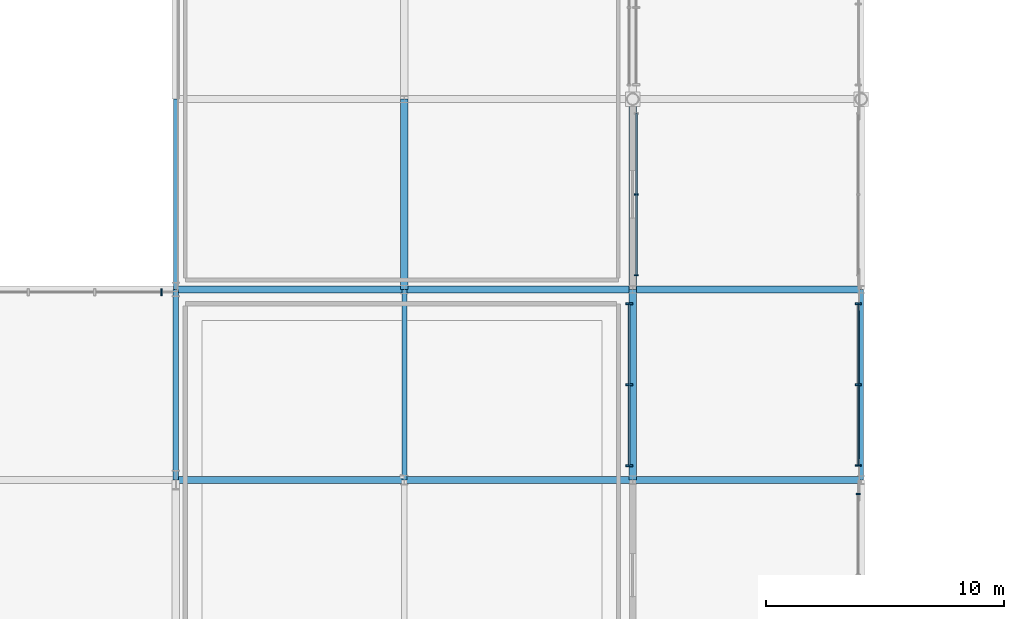
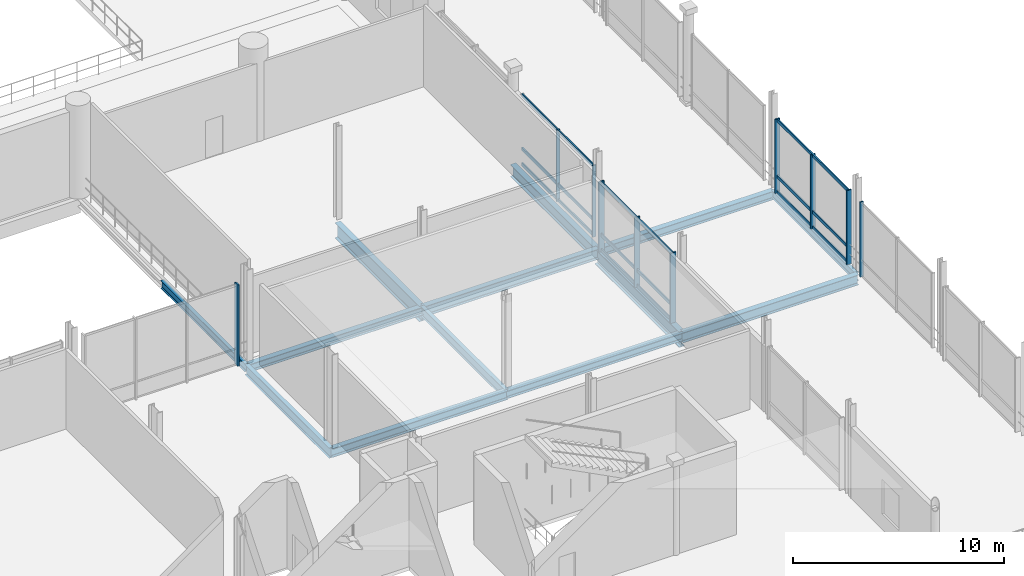
# One storey, part 44 of 129: 19 members, 13 beams, 5 elements without a shape of their own.
"""IFC4 building model written with IfcOpenShell, lengths in metres."""

from ifc_helpers import new_model, si_unit, direction, frame, origin, origin_2d, place, context, subcontext, project, spatial, rectangle, i_section, extrude, material, material_profile, profile_set, type_object, element, aggregate, save


model = new_model("IFC4")

# Units and contexts
model_context = context("Model", 3, precision=1e-05, world=origin(), true_north=direction((0.0, 1.0)))
body_context = subcontext(model_context, "Body", "Model", "MODEL_VIEW")
ifc_project = project(units=[si_unit("LENGTHUNIT", "METRE"), si_unit("AREAUNIT", "SQUARE_METRE"), si_unit("VOLUMEUNIT", "CUBIC_METRE"), si_unit("PLANEANGLEUNIT", "RADIAN"), si_unit("MASSUNIT", "GRAM", prefix="KILO")], contexts=[model_context])

# Site, building, storey
site_placement = place(None, origin())
site = spatial("IfcSite", under=ifc_project, at=site_placement, CompositionType="ELEMENT")
building_placement = place(site_placement, origin())
building = spatial("IfcBuilding", under=site, at=building_placement, Name="Danafjord Basin Convention Centre", CompositionType="ELEMENT")
storey_placement = place(building_placement, frame((0.0, 0.0, 6.0)))
storey = spatial("IfcBuildingStorey", under=building, at=storey_placement, Name="L01", CompositionType="ELEMENT", Elevation=6.0)

# Beams
ifc_material_1 = material(Name="Steel S355", Category="steel")
ifc_material_profile_1 = material_profile(ifc_material_1, i_section(OverallWidth=0.300048828125, OverallDepth=0.489990234375, WebThickness=0.011962890625, FlangeThickness=0.02294921875, FilletRadius=0.027099609375, at=origin_2d()), Name="HEA 500")
ifc_profile_set_1 = profile_set([ifc_material_profile_1], Name="Steel S355")
beam_type_1 = type_object("IfcBeamType", Name="BEAM-BM-HEA500", PredefinedType="BEAM", material=ifc_profile_set_1)
beam_1_placement = place(storey_placement, frame((115.199951171875, 40.0, -0.47509765625), z_axis=(1.0, 0.0, 0.0), x_axis=(0.0, 1.0, 0.0)))
element("IfcBeam", 1, at=beam_1_placement, inside=storey, type_object=beam_type_1, Name="L01 girder BM-HEA500", PredefinedType="BEAM", context=body_context, shape_type="SweptSolid", body=[
    extrude(i_section(OverallWidth=0.300048828125, OverallDepth=0.489990234375, WebThickness=0.011962890625, FlangeThickness=0.02294921875, FilletRadius=0.027099609375, at=origin_2d()), origin(), (0.0, 0.0, 1.0), 9.60009765625),
])
ifc_material_profile_2 = material_profile(ifc_material_1, i_section(OverallWidth=0.300048828125, OverallDepth=0.590087890625, WebThickness=0.012939453125, FlangeThickness=0.02490234375, FilletRadius=0.027099609375, at=origin_2d()), Name="HEA 600")
ifc_profile_set_2 = profile_set([ifc_material_profile_2], Name="Steel S355")
beam_type_2 = type_object("IfcBeamType", Name="BEAM-BM-HEA600", PredefinedType="BEAM", material=ifc_profile_set_2)
beam_2_placement = place(storey_placement, frame((105.60009765625, 40.0, -0.52490234375), z_axis=(1.0, 0.0, 0.0), x_axis=(0.0, 1.0, 0.0)))
element("IfcBeam", 2, at=beam_2_placement, inside=storey, type_object=beam_type_2, Name="L01 girder BM-HEA600", PredefinedType="BEAM", context=body_context, shape_type="SweptSolid", body=[
    extrude(i_section(OverallWidth=0.300048828125, OverallDepth=0.590087890625, WebThickness=0.012939453125, FlangeThickness=0.02490234375, FilletRadius=0.027099609375, at=origin_2d()), origin(), (0.0, 0.0, 1.0), 9.599853515625),
])
beam_3_placement = place(storey_placement, frame((115.199951171875, 32.0, -0.52490234375), z_axis=(1.0, 0.0, 0.0), x_axis=(0.0, 1.0, 0.0)))
element("IfcBeam", 3, at=beam_3_placement, inside=storey, type_object=beam_type_2, Name="L01 girder BM-HEA600", PredefinedType="BEAM", context=body_context, shape_type="SweptSolid", body=[
    extrude(i_section(OverallWidth=0.300048828125, OverallDepth=0.590087890625, WebThickness=0.012939453125, FlangeThickness=0.02490234375, FilletRadius=0.027099609375, at=origin_2d()), origin(), (0.0, 0.0, 1.0), 9.60009765625),
])
ifc_material_profile_3 = material_profile(ifc_material_1, i_section(OverallWidth=0.300048828125, OverallDepth=0.449951171875, WebThickness=0.013916015625, FlangeThickness=0.02587890625, FilletRadius=0.027099609375, at=origin_2d()), Name="HEB 450")
ifc_profile_set_3 = profile_set([ifc_material_profile_3], Name="Steel S355")
beam_type_3 = type_object("IfcBeamType", Name="BEAM-BM-HEB450", PredefinedType="BEAM", material=ifc_profile_set_3)
beam_4_placement = place(storey_placement, frame((96.0, 40.0, -0.455078125), z_axis=(1.0, 0.0, 0.0), x_axis=(0.0, 1.0, 0.0)))
element("IfcBeam", 4, at=beam_4_placement, inside=storey, type_object=beam_type_3, Name="L01 girder BM-HEB450", PredefinedType="BEAM", context=body_context, shape_type="SweptSolid", body=[
    extrude(i_section(OverallWidth=0.300048828125, OverallDepth=0.449951171875, WebThickness=0.013916015625, FlangeThickness=0.02587890625, FilletRadius=0.027099609375, at=origin_2d()), origin(), (0.0, 0.0, 1.0), 9.60009765625),
])
beam_5_placement = place(storey_placement, frame((105.60009765625, 32.0, -0.455078125), z_axis=(1.0, 0.0, 0.0), x_axis=(0.0, 1.0, 0.0)))
element("IfcBeam", 5, at=beam_5_placement, inside=storey, type_object=beam_type_3, Name="L01 girder BM-HEB450", PredefinedType="BEAM", context=body_context, shape_type="SweptSolid", body=[
    extrude(i_section(OverallWidth=0.300048828125, OverallDepth=0.449951171875, WebThickness=0.013916015625, FlangeThickness=0.02587890625, FilletRadius=0.027099609375, at=origin_2d()), origin(), (0.0, 0.0, 1.0), 9.599853515625),
])
ifc_material_profile_4 = material_profile(ifc_material_1, i_section(OverallWidth=0.300048828125, OverallDepth=0.5, WebThickness=0.014404296875, FlangeThickness=0.028076171875, FilletRadius=0.027099609375, at=origin_2d()), Name="HEB 500")
ifc_profile_set_4 = profile_set([ifc_material_profile_4], Name="Steel S355")
beam_type_4 = type_object("IfcBeamType", Name="BEAM-BM-HEB500", PredefinedType="BEAM", material=ifc_profile_set_4)
beam_6_placement = place(storey_placement, frame((96.0, 32.0, -0.47998046875), z_axis=(1.0, 0.0, 0.0), x_axis=(0.0, 1.0, 0.0)))
element("IfcBeam", 6, at=beam_6_placement, inside=storey, type_object=beam_type_4, Name="L01 girder BM-HEB500", PredefinedType="BEAM", context=body_context, shape_type="SweptSolid", body=[
    extrude(i_section(OverallWidth=0.300048828125, OverallDepth=0.5, WebThickness=0.014404296875, FlangeThickness=0.028076171875, FilletRadius=0.027099609375, at=origin_2d()), origin(), (0.0, 0.0, 1.0), 9.60009765625),
])
ifc_material_profile_5 = material_profile(ifc_material_1, i_section(OverallWidth=0.300048828125, OverallDepth=0.699951171875, WebThickness=0.01708984375, FlangeThickness=0.031982421875, FilletRadius=0.027099609375, at=origin_2d()), Name="HEB 700")
ifc_profile_set_5 = profile_set([ifc_material_profile_5], Name="Steel S355")
beam_type_5 = type_object("IfcBeamType", Name="BEAM-BM-HEB700", PredefinedType="BEAM", material=ifc_profile_set_5)
beam_7_placement = place(storey_placement, frame((115.199951171875, 40.0, -0.580078125), z_axis=(0.0, 1.0, 0.0), x_axis=(-1.0, 0.0, 0.0)))
element("IfcBeam", 7, at=beam_7_placement, inside=storey, type_object=beam_type_5, Name="L01 transverse girder BM-HEB700", PredefinedType="BEAM", context=body_context, shape_type="SweptSolid", body=[
    extrude(i_section(OverallWidth=0.300048828125, OverallDepth=0.699951171875, WebThickness=0.01708984375, FlangeThickness=0.031982421875, FilletRadius=0.027099609375, at=origin_2d()), origin(), (0.0, 0.0, 1.0), 8.0),
])
ifc_material_profile_6 = material_profile(ifc_material_1, i_section(OverallWidth=0.300048828125, OverallDepth=0.89990234375, WebThickness=0.0185546875, FlangeThickness=0.034912109375, FilletRadius=0.030029296875, at=origin_2d()), Name="HEB 900")
ifc_profile_set_6 = profile_set([ifc_material_profile_6], Name="Steel S355")
beam_type_6 = type_object("IfcBeamType", Name="BEAM-BM-HEB900", PredefinedType="BEAM", material=ifc_profile_set_6)
for number, where, z_axis, x_axis, name in (
    (8, (105.60009765625, 40.0, -0.679931640625), (0.0, 1.0, 0.0), (-1.0, 0.0, 0.0), "L01 transverse girder BM-HEB900"),
    (9, (115.199951171875, 32.0, -0.679931640625), (0.0, 1.0, 0.0), (-1.0, 0.0, 0.0), "L01 transverse girder BM-HEB900"),
):
    element("IfcBeam", number, at=place(storey_placement, frame(where, z_axis=z_axis, x_axis=x_axis)), inside=storey, type_object=beam_type_6, Name=name, PredefinedType="BEAM", context=body_context, shape_type="SweptSolid", body=[
        extrude(i_section(OverallWidth=0.300048828125, OverallDepth=0.89990234375, WebThickness=0.0185546875, FlangeThickness=0.034912109375, FilletRadius=0.030029296875, at=origin_2d()), origin(), (0.0, 0.0, 1.0), 8.0),
    ])
ifc_material_profile_7 = material_profile(ifc_material_1, i_section(OverallWidth=0.2099609375, OverallDepth=0.550048828125, WebThickness=0.010986328125, FlangeThickness=0.01708984375, FilletRadius=0.02392578125, at=origin_2d()), Name="IPE 550")
ifc_profile_set_7 = profile_set([ifc_material_profile_7], Name="Steel S355")
beam_type_7 = type_object("IfcBeamType", Name="BEAM-BM-IPE550", PredefinedType="BEAM", material=ifc_profile_set_7)
beam_8_placement = place(storey_placement, frame((105.60009765625, 32.0, -0.5048828125), z_axis=(0.0, 1.0, 0.0), x_axis=(-1.0, 0.0, 0.0)))
element("IfcBeam", 10, at=beam_8_placement, inside=storey, type_object=beam_type_7, Name="L01 transverse girder BM-IPE550", PredefinedType="BEAM", context=body_context, shape_type="SweptSolid", body=[
    extrude(i_section(OverallWidth=0.2099609375, OverallDepth=0.550048828125, WebThickness=0.010986328125, FlangeThickness=0.01708984375, FilletRadius=0.02392578125, at=origin_2d()), origin(), (0.0, 0.0, 1.0), 8.0),
])
ifc_material_profile_8 = material_profile(ifc_material_1, i_section(OverallWidth=0.219970703125, OverallDepth=0.60009765625, WebThickness=0.011962890625, FlangeThickness=0.01904296875, FilletRadius=0.02392578125, at=origin_2d()), Name="IPE 600")
ifc_profile_set_8 = profile_set([ifc_material_profile_8], Name="Steel S355")
beam_type_8 = type_object("IfcBeamType", Name="BEAM-BM-IPE600", PredefinedType="BEAM", material=ifc_profile_set_8)
beam_9_placement = place(storey_placement, frame((96.0, 32.0, -0.530029296875), z_axis=(0.0, 1.0, 0.0), x_axis=(-1.0, 0.0, 0.0)))
element("IfcBeam", 11, at=beam_9_placement, inside=storey, type_object=beam_type_8, Name="L01 transverse girder BM-IPE600", PredefinedType="BEAM", context=body_context, shape_type="SweptSolid", body=[
    extrude(i_section(OverallWidth=0.219970703125, OverallDepth=0.60009765625, WebThickness=0.011962890625, FlangeThickness=0.01904296875, FilletRadius=0.02392578125, at=origin_2d()), origin(), (0.0, 0.0, 1.0), 8.0),
])
ifc_material_profile_9 = material_profile(ifc_material_1, i_section(OverallWidth=0.18994140625, OverallDepth=0.449951171875, WebThickness=0.009521484375, FlangeThickness=0.0146484375, FilletRadius=0.02099609375, at=origin_2d()), Name="IPE 450")
ifc_profile_set_9 = profile_set([ifc_material_profile_9], Name="Steel S355")
beam_type_9 = type_object("IfcBeamType", Name="BEAM-SP-IPE450", PredefinedType="SPANDREL", material=ifc_profile_set_9)
for number, where, z_axis, x_axis, name in (
    (12, (96.0, 40.0, -0.455078125), (0.0, 1.0, 0.0), (-1.0, 0.0, 0.0), "L01 transverse girder SP-IPE450"),
    (13, (124.800048828125, 32.0, -0.455078125), (0.0, 1.0, 0.0), (-1.0, 0.0, 0.0), "L01 transverse girder SP-IPE450"),
):
    element("IfcBeam", number, at=place(storey_placement, frame(where, z_axis=z_axis, x_axis=x_axis)), inside=storey, type_object=beam_type_9, Name=name, PredefinedType="SPANDREL", context=body_context, shape_type="SweptSolid", body=[
        extrude(i_section(OverallWidth=0.18994140625, OverallDepth=0.449951171875, WebThickness=0.009521484375, FlangeThickness=0.0146484375, FilletRadius=0.02099609375, at=origin_2d()), origin(), (0.0, 0.0, 1.0), 8.0),
    ])

# Curtain wall, member
ifc_material_2 = material(Name="Anodised aluminium and triple glazing", Category="aluminium")
curtain_wall_type_1 = type_object("IfcCurtainWallType", Name="CW-CW-BRIDGE", PredefinedType="NOTDEFINED", material=ifc_material_2)
curtain_wall_1_placement = place(storey_placement, origin())
curtain_wall_1 = element("IfcCurtainWall", 14, at=curtain_wall_1_placement, inside=storey, type_object=curtain_wall_type_1, Name="L01 CW-BRIDGE unitised curtain wall bay 156", PredefinedType="NOTDEFINED")
ifc_material_3 = material(Name="Anodised aluminium EN AW-6060", Category="aluminium")
ifc_material_profile_10 = material_profile(ifc_material_3, rectangle(XDim=0.06005859375, YDim=0.179931640625, at=origin_2d()), Name="MULL 60x180")
ifc_profile_set_10 = profile_set([ifc_material_profile_10], Name="Anodised aluminium EN AW-6060")
member_type_1 = type_object("IfcMemberType", Name="MEM-ML-180", PredefinedType="MULLION", material=ifc_profile_set_10)
member_1_placement = place(storey_placement, frame((124.679931640625, 31.39990234375, -0.02490234375), z_axis=(0.0, 0.0, 1.0), x_axis=(0.0, 1.0, 0.0)))
member_1 = element("IfcMember", 15, at=member_1_placement, type_object=member_type_1, Name="CW-L01-156 mullion 3", PredefinedType="MULLION", context=body_context, shape_type="SweptSolid", body=[
    extrude(rectangle(XDim=0.06005859375, YDim=0.179931640625, at=origin_2d()), origin(), (0.0, 0.0, 1.0), 4.349853515625),
])
aggregate(curtain_wall_1, [member_1])

# Curtain wall, members
curtain_wall_2_placement = place(storey_placement, origin())
curtain_wall_2 = element("IfcCurtainWall", 16, at=curtain_wall_2_placement, inside=storey, type_object=curtain_wall_type_1, Name="L01 CW-BRIDGE unitised curtain wall bay 161", PredefinedType="NOTDEFINED")
member_2_placement = place(storey_placement, frame((115.35009765625, 44.0, -0.02490234375), z_axis=(0.0, 0.0, 1.0), x_axis=(0.0, -1.0, 0.0)))
member_2 = element("IfcMember", 17, at=member_2_placement, type_object=member_type_1, Name="CW-L01-161 mullion 2", PredefinedType="MULLION", context=body_context, shape_type="SweptSolid", body=[
    extrude(rectangle(XDim=0.06005859375, YDim=0.179931640625, at=origin_2d()), origin(), (0.0, 0.0, 1.0), 4.14990234375),
])
member_3_placement = place(storey_placement, frame((115.35009765625, 40.60009765625, -0.02490234375), z_axis=(0.0, 0.0, 1.0), x_axis=(0.0, -1.0, 0.0)))
member_3 = element("IfcMember", 18, at=member_3_placement, type_object=member_type_1, Name="CW-L01-161 mullion 3", PredefinedType="MULLION", context=body_context, shape_type="SweptSolid", body=[
    extrude(rectangle(XDim=0.06005859375, YDim=0.179931640625, at=origin_2d()), origin(), (0.0, 0.0, 1.0), 4.14990234375),
])

curtain_wall_3_placement = place(storey_placement, origin())
curtain_wall_3 = element("IfcCurtainWall", 19, at=curtain_wall_3_placement, inside=storey, type_object=curtain_wall_type_1, Name="L01 CW-BRIDGE unitised curtain wall bay 158", PredefinedType="NOTDEFINED")
ifc_material_profile_11 = material_profile(ifc_material_3, rectangle(XDim=0.070068359375, YDim=0.260009765625, at=origin_2d()), Name="MULL 70x260")
ifc_profile_set_11 = profile_set([ifc_material_profile_11], Name="Anodised aluminium EN AW-6060")
member_type_2 = type_object("IfcMemberType", Name="MEM-ML-260", PredefinedType="MULLION", material=ifc_profile_set_11)
member_4_placement = place(storey_placement, frame((124.679931640625, 32.60009765625, -0.02490234375), z_axis=(0.0, 0.0, 1.0), x_axis=(0.0, 1.0, 0.0)))
member_4 = element("IfcMember", 20, at=member_4_placement, type_object=member_type_2, Name="CW-L01-158 mullion 1", PredefinedType="MULLION", context=body_context, shape_type="SweptSolid", body=[
    extrude(rectangle(XDim=0.070068359375, YDim=0.260009765625, at=origin_2d()), origin(), (0.0, 0.0, 1.0), 4.2998046875),
])
member_5_placement = place(storey_placement, frame((124.679931640625, 36.0, -0.02490234375), z_axis=(0.0, 0.0, 1.0), x_axis=(0.0, 1.0, 0.0)))
member_5 = element("IfcMember", 21, at=member_5_placement, type_object=member_type_2, Name="CW-L01-158 mullion 2", PredefinedType="MULLION", context=body_context, shape_type="SweptSolid", body=[
    extrude(rectangle(XDim=0.070068359375, YDim=0.260009765625, at=origin_2d()), origin(), (0.0, 0.0, 1.0), 4.2998046875),
])
member_6_placement = place(storey_placement, frame((124.679931640625, 39.39990234375, -0.02490234375), z_axis=(0.0, 0.0, 1.0), x_axis=(0.0, 1.0, 0.0)))
member_6 = element("IfcMember", 22, at=member_6_placement, type_object=member_type_2, Name="CW-L01-158 mullion 3", PredefinedType="MULLION", context=body_context, shape_type="SweptSolid", body=[
    extrude(rectangle(XDim=0.070068359375, YDim=0.260009765625, at=origin_2d()), origin(), (0.0, 0.0, 1.0), 4.2998046875),
])

# Curtain wall, member
curtain_wall_type_2 = type_object("IfcCurtainWallType", Name="CW-CW-TERR", PredefinedType="NOTDEFINED", material=ifc_material_2)
curtain_wall_4_placement = place(storey_placement, origin())
curtain_wall_4 = element("IfcCurtainWall", 23, at=curtain_wall_4_placement, inside=storey, type_object=curtain_wall_type_2, Name="L01 CW-TERR unitised curtain wall bay 54", PredefinedType="NOTDEFINED")
ifc_material_profile_12 = material_profile(ifc_material_3, rectangle(XDim=0.080078125, YDim=0.300048828125, at=origin_2d()), Name="MULL 80x300")
ifc_profile_set_12 = profile_set([ifc_material_profile_12], Name="Anodised aluminium EN AW-6060")
member_type_3 = type_object("IfcMemberType", Name="MEM-ML-300", PredefinedType="MULLION", material=ifc_profile_set_12)
member_7_placement = place(storey_placement, frame((95.39990234375, 39.8798828125, -0.02490234375), z_axis=(0.0, 0.0, 1.0), x_axis=(-1.0, 0.0, 0.0)))
member_7 = element("IfcMember", 24, at=member_7_placement, type_object=member_type_3, Name="CW-L01-054 mullion 1", PredefinedType="MULLION", context=body_context, shape_type="SweptSolid", body=[
    extrude(rectangle(XDim=0.080078125, YDim=0.300048828125, at=origin_2d()), origin(), (0.0, 0.0, 1.0), 4.71484375),
])
aggregate(curtain_wall_4, [member_7])

# Curtain wall, members
curtain_wall_5_placement = place(storey_placement, origin())
curtain_wall_5 = element("IfcCurtainWall", 25, at=curtain_wall_5_placement, inside=storey, type_object=curtain_wall_type_2, Name="L01 CW-TERR unitised curtain wall bay 59", PredefinedType="NOTDEFINED")
member_8_placement = place(storey_placement, frame((115.050048828125, 32.60009765625, -0.02490234375), z_axis=(0.0, 0.0, 1.0), x_axis=(0.0, 1.0, 0.0)))
member_8 = element("IfcMember", 26, at=member_8_placement, type_object=member_type_3, Name="CW-L01-059 mullion 1", PredefinedType="MULLION", context=body_context, shape_type="SweptSolid", body=[
    extrude(rectangle(XDim=0.080078125, YDim=0.300048828125, at=origin_2d()), origin(), (0.0, 0.0, 1.0), 4.0498046875),
])
member_9_placement = place(storey_placement, frame((115.050048828125, 36.0, -0.02490234375), z_axis=(0.0, 0.0, 1.0), x_axis=(0.0, 1.0, 0.0)))
member_9 = element("IfcMember", 27, at=member_9_placement, type_object=member_type_3, Name="CW-L01-059 mullion 2", PredefinedType="MULLION", context=body_context, shape_type="SweptSolid", body=[
    extrude(rectangle(XDim=0.080078125, YDim=0.300048828125, at=origin_2d()), origin(), (0.0, 0.0, 1.0), 4.0498046875),
])
member_10_placement = place(storey_placement, frame((115.050048828125, 39.39990234375, -0.02490234375), z_axis=(0.0, 0.0, 1.0), x_axis=(0.0, 1.0, 0.0)))
member_10 = element("IfcMember", 28, at=member_10_placement, type_object=member_type_3, Name="CW-L01-059 mullion 3", PredefinedType="MULLION", context=body_context, shape_type="SweptSolid", body=[
    extrude(rectangle(XDim=0.080078125, YDim=0.300048828125, at=origin_2d()), origin(), (0.0, 0.0, 1.0), 4.0498046875),
])
ifc_material_profile_13 = material_profile(ifc_material_3, rectangle(XDim=0.06494140625, YDim=0.18994140625, at=origin_2d()), Name="TRAN 65x190")
ifc_profile_set_13 = profile_set([ifc_material_profile_13], Name="Anodised aluminium EN AW-6060")
member_type_4 = type_object("IfcMemberType", Name="MEM-TR-190", PredefinedType="USERDEFINED", material=ifc_profile_set_13)
member_11_placement = place(storey_placement, frame((115.050048828125, 32.60009765625, 0.06005859375), z_axis=(0.0, 1.0, 0.0), x_axis=(-1.0, 0.0, 0.0)))
member_11 = element("IfcMember", 29, at=member_11_placement, type_object=member_type_4, Name="CW-L01-059 transom 1", ObjectType="TRANSOM", PredefinedType="USERDEFINED", context=body_context, shape_type="SweptSolid", body=[
    extrude(rectangle(XDim=0.06494140625, YDim=0.18994140625, at=origin_2d()), origin(), (0.0, 0.0, 1.0), 6.7998046875),
])
member_12_placement = place(storey_placement, frame((115.050048828125, 32.60009765625, 0.949951171875), z_axis=(0.0, 1.0, 0.0), x_axis=(-1.0, 0.0, 0.0)))
member_12 = element("IfcMember", 30, at=member_12_placement, type_object=member_type_4, Name="CW-L01-059 transom 2", ObjectType="TRANSOM", PredefinedType="USERDEFINED", context=body_context, shape_type="SweptSolid", body=[
    extrude(rectangle(XDim=0.06494140625, YDim=0.18994140625, at=origin_2d()), origin(), (0.0, 0.0, 1.0), 6.7998046875),
])
member_13_placement = place(storey_placement, frame((115.050048828125, 32.60009765625, 3.955078125), z_axis=(0.0, 1.0, 0.0), x_axis=(-1.0, 0.0, 0.0)))
member_13 = element("IfcMember", 31, at=member_13_placement, type_object=member_type_4, Name="CW-L01-059 transom 3", ObjectType="TRANSOM", PredefinedType="USERDEFINED", context=body_context, shape_type="SweptSolid", body=[
    extrude(rectangle(XDim=0.06494140625, YDim=0.18994140625, at=origin_2d()), origin(), (0.0, 0.0, 1.0), 6.7998046875),
])
aggregate(curtain_wall_5, [member_8, member_9, member_10, member_11, member_12, member_13])

# Member
member_14_placement = place(storey_placement, frame((124.679931640625, 32.60009765625, 0.06005859375), z_axis=(0.0, 1.0, 0.0), x_axis=(-1.0, 0.0, 0.0)))
member_14 = element("IfcMember", 32, at=member_14_placement, type_object=member_type_4, Name="CW-L01-158 transom 1", ObjectType="TRANSOM", PredefinedType="USERDEFINED", context=body_context, shape_type="SweptSolid", body=[
    extrude(rectangle(XDim=0.06494140625, YDim=0.18994140625, at=origin_2d()), origin(), (0.0, 0.0, 1.0), 6.7998046875),
])

member_15_placement = place(storey_placement, frame((124.679931640625, 32.60009765625, 0.949951171875), z_axis=(0.0, 1.0, 0.0), x_axis=(-1.0, 0.0, 0.0)))
member_15 = element("IfcMember", 33, at=member_15_placement, type_object=member_type_4, Name="CW-L01-158 transom 2", ObjectType="TRANSOM", PredefinedType="USERDEFINED", context=body_context, shape_type="SweptSolid", body=[
    extrude(rectangle(XDim=0.06494140625, YDim=0.18994140625, at=origin_2d()), origin(), (0.0, 0.0, 1.0), 6.7998046875),
])

member_16_placement = place(storey_placement, frame((124.679931640625, 32.60009765625, 4.205078125), z_axis=(0.0, 1.0, 0.0), x_axis=(-1.0, 0.0, 0.0)))
member_16 = element("IfcMember", 34, at=member_16_placement, type_object=member_type_4, Name="CW-L01-158 transom 3", ObjectType="TRANSOM", PredefinedType="USERDEFINED", context=body_context, shape_type="SweptSolid", body=[
    extrude(rectangle(XDim=0.06494140625, YDim=0.18994140625, at=origin_2d()), origin(), (0.0, 0.0, 1.0), 6.7998046875),
])

aggregate(curtain_wall_3, [member_4, member_5, member_6, member_14, member_15, member_16])

member_17_placement = place(storey_placement, frame((115.35009765625, 47.39990234375, 0.06005859375), z_axis=(0.0, -1.0, 0.0), x_axis=(1.0, 0.0, 0.0)))
member_17 = element("IfcMember", 35, at=member_17_placement, type_object=member_type_4, Name="CW-L01-161 transom 1", ObjectType="TRANSOM", PredefinedType="USERDEFINED", context=body_context, shape_type="SweptSolid", body=[
    extrude(rectangle(XDim=0.06494140625, YDim=0.18994140625, at=origin_2d()), origin(), (0.0, 0.0, 1.0), 6.7998046875),
])

member_18_placement = place(storey_placement, frame((115.35009765625, 47.39990234375, 0.949951171875), z_axis=(0.0, -1.0, 0.0), x_axis=(1.0, 0.0, 0.0)))
member_18 = element("IfcMember", 36, at=member_18_placement, type_object=member_type_4, Name="CW-L01-161 transom 2", ObjectType="TRANSOM", PredefinedType="USERDEFINED", context=body_context, shape_type="SweptSolid", body=[
    extrude(rectangle(XDim=0.06494140625, YDim=0.18994140625, at=origin_2d()), origin(), (0.0, 0.0, 1.0), 6.7998046875),
])

member_19_placement = place(storey_placement, frame((115.35009765625, 47.39990234375, 4.054931640625), z_axis=(0.0, -1.0, 0.0), x_axis=(1.0, 0.0, 0.0)))
member_19 = element("IfcMember", 37, at=member_19_placement, type_object=member_type_4, Name="CW-L01-161 transom 3", ObjectType="TRANSOM", PredefinedType="USERDEFINED", context=body_context, shape_type="SweptSolid", body=[
    extrude(rectangle(XDim=0.06494140625, YDim=0.18994140625, at=origin_2d()), origin(), (0.0, 0.0, 1.0), 6.7998046875),
])

aggregate(curtain_wall_2, [member_2, member_3, member_17, member_18, member_19])

save(model, "model.ifc")
